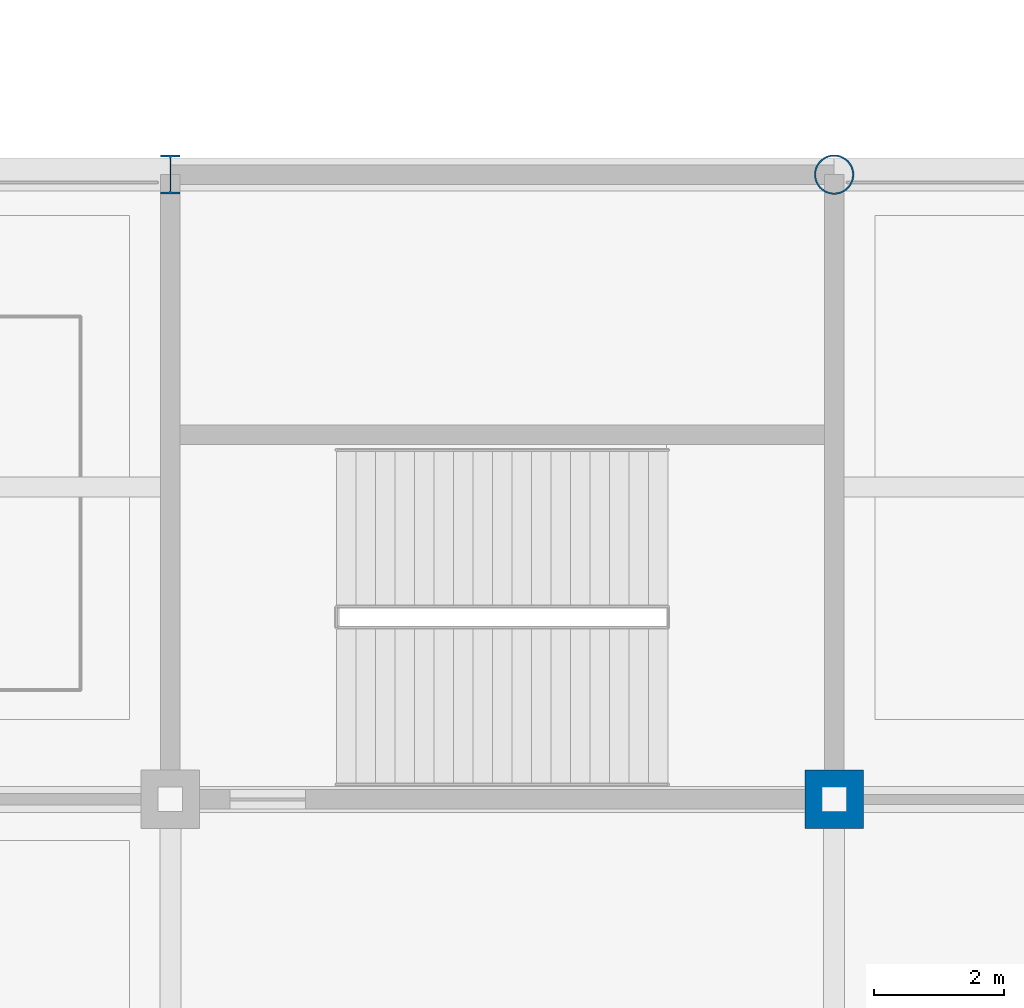
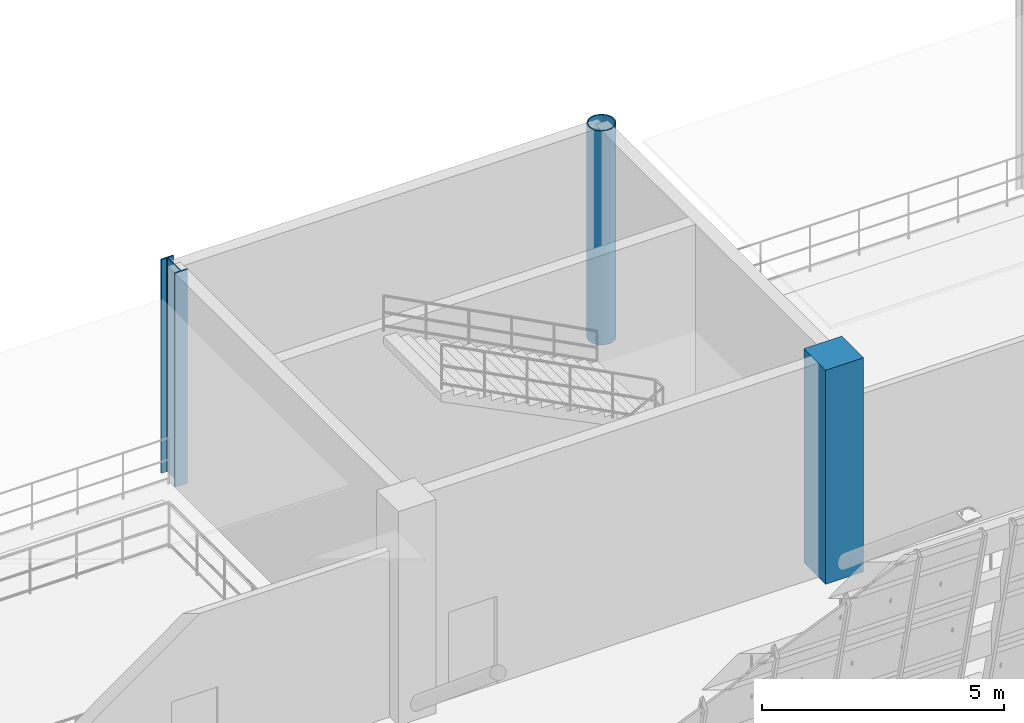
# One storey, part 2 of 175: 3 columns.
"""IFC4 building model written with IfcOpenShell, lengths in metres."""

from ifc_helpers import new_model, si_unit, direction, frame, origin, origin_2d, place, context, subcontext, project, spatial, rectangle, hollow_circle, i_section, extrude, material, material_profile, profile_set, type_object, element, save


model = new_model("IFC4")

# Units and contexts
model_context = context("Model", 3, precision=1e-05, world=origin(), true_north=direction((0.0, 1.0)))
body_context = subcontext(model_context, "Body", "Model", "MODEL_VIEW")
ifc_project = project(units=[si_unit("LENGTHUNIT", "METRE"), si_unit("AREAUNIT", "SQUARE_METRE"), si_unit("VOLUMEUNIT", "CUBIC_METRE"), si_unit("PLANEANGLEUNIT", "RADIAN"), si_unit("MASSUNIT", "GRAM", prefix="KILO")], contexts=[model_context])

# Site, building, storey
site_placement = place(None, origin())
site = spatial("IfcSite", under=ifc_project, at=site_placement, CompositionType="ELEMENT")
building_placement = place(site_placement, origin())
building = spatial("IfcBuilding", under=site, at=building_placement, Name="Brelvane Convention Centre", CompositionType="ELEMENT")
storey_placement = place(building_placement, frame((0.0, 0.0, 5.39990234375)))
storey = spatial("IfcBuildingStorey", under=building, at=storey_placement, Name="L01", CompositionType="ELEMENT", Elevation=5.39990234375)

# Columns
ifc_material_1 = material(Name="Concrete M50", Category="concrete")
ifc_material_profile_1 = material_profile(ifc_material_1, rectangle(XDim=0.89990234375, YDim=0.89990234375, at=origin_2d()), Name="RC 900x900")
ifc_profile_set_1 = profile_set([ifc_material_profile_1], Name="Concrete M50")
column_type_1 = type_object("IfcColumnType", Name="RC Column C-RC2 (RC 900x900)", PredefinedType="COLUMN", material=ifc_profile_set_1)
column_1_placement = place(storey_placement, frame((61.199951171875, 19.199951171875, 0.0), z_axis=(0.0, 0.0, 1.0), x_axis=(1.0, 0.0, 0.0)))
element("IfcColumn", 1, at=column_1_placement, inside=storey, type_object=column_type_1, Name="Column 7-C (L01)", PredefinedType="COLUMN", context=body_context, shape_type="SweptSolid", body=[
    extrude(rectangle(XDim=0.89990234375, YDim=0.89990234375, at=origin_2d()), origin(), (0.0, 0.0, 1.0), 5.400146484375),
])
ifc_material_2 = material(Name="Steel E450 (450 MPa)", Category="steel")
ifc_material_profile_2 = material_profile(ifc_material_2, hollow_circle(Radius=0.304931640625, WallThickness=0.02490234375, at=origin_2d()), Name="CHS 610.0x25.0")
ifc_profile_set_2 = profile_set([ifc_material_profile_2], Name="Steel E450 (450 MPa)")
column_type_2 = type_object("IfcColumnType", Name="Steel Column C-ST1 (CHS 610.0x25.0)", PredefinedType="COLUMN", material=ifc_profile_set_2)
column_2_placement = place(storey_placement, frame((61.199951171875, 28.800048828125, 0.0), z_axis=(0.0, 0.0, 1.0), x_axis=(1.0, 0.0, 0.0)))
element("IfcColumn", 2, at=column_2_placement, inside=storey, type_object=column_type_2, Name="Column 7-D (L01)", PredefinedType="COLUMN", context=body_context, shape_type="SweptSolid", body=[
    extrude(hollow_circle(Radius=0.304931640625, WallThickness=0.02490234375, at=origin_2d()), origin(), (0.0, 0.0, 1.0), 5.400146484375),
])
ifc_material_3 = material(Name="Steel E450 (450 MPa)", Category="steel")
ifc_material_profile_3 = material_profile(ifc_material_3, i_section(OverallWidth=0.300048828125, OverallDepth=0.60009765625, WebThickness=0.015380859375, FlangeThickness=0.030029296875, FilletRadius=0.027099609375, at=origin_2d()), Name="WPB 600x300")
ifc_profile_set_3 = profile_set([ifc_material_profile_3], Name="Steel E450 (450 MPa)")
column_type_3 = type_object("IfcColumnType", Name="Steel Column C-ST5 (WPB 600x300)", PredefinedType="COLUMN", material=ifc_profile_set_3)
column_3_placement = place(storey_placement, frame((51.0, 28.800048828125, 0.0), z_axis=(0.0, 0.0, 1.0), x_axis=(1.0, 0.0, 0.0)))
element("IfcColumn", 3, at=column_3_placement, inside=storey, type_object=column_type_3, Name="Column 6-D (L01)", PredefinedType="COLUMN", context=body_context, shape_type="SweptSolid", body=[
    extrude(i_section(OverallWidth=0.300048828125, OverallDepth=0.60009765625, WebThickness=0.015380859375, FlangeThickness=0.030029296875, FilletRadius=0.027099609375, at=origin_2d()), origin(), (0.0, 0.0, 1.0), 5.400146484375),
])

save(model, "model.ifc")
